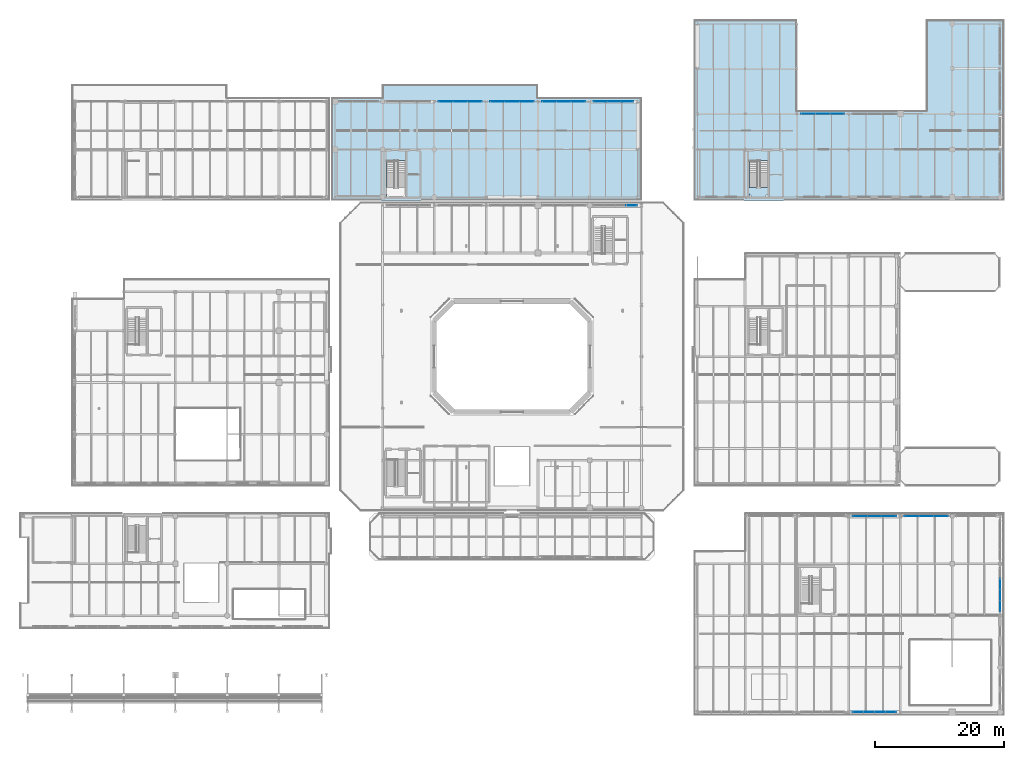
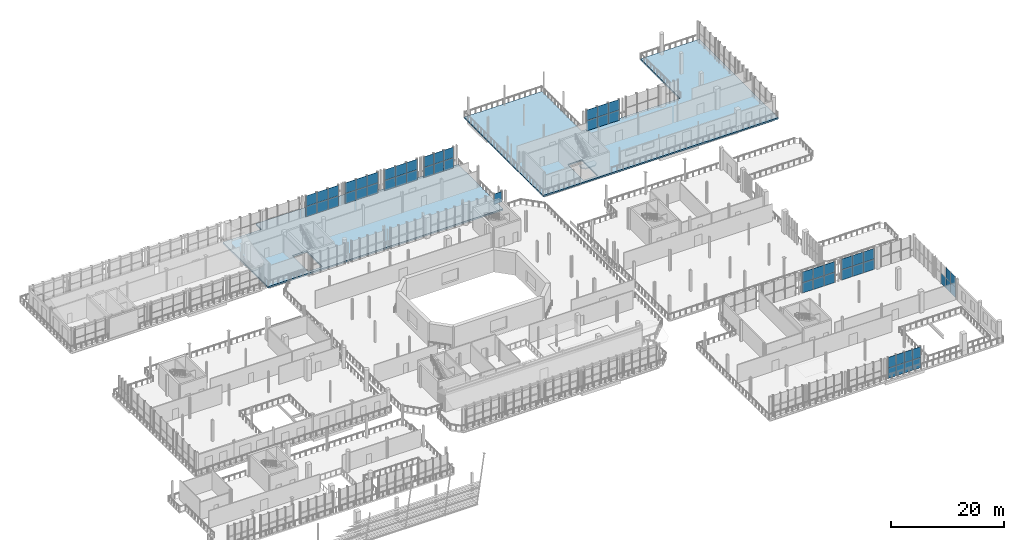
# One storey, part 65 of 93: 56 plates, 3 slabs, 11 elements without a shape of their own.
"""IFC4 building model written with IfcOpenShell, lengths in metres."""

from ifc_helpers import new_model, si_unit, direction, frame, origin, origin_2d, place, context, subcontext, project, spatial, polyline, rectangle, outline, extrude, material, layer, layer_set, type_object, element, aggregate, save


model = new_model("IFC4")

# Units and contexts
model_context = context("Model", 3, precision=1e-05, world=origin(), true_north=direction((0.0, 1.0)))
body_context = subcontext(model_context, "Body", "Model", "MODEL_VIEW")
ifc_project = project(units=[si_unit("LENGTHUNIT", "METRE"), si_unit("AREAUNIT", "SQUARE_METRE"), si_unit("VOLUMEUNIT", "CUBIC_METRE"), si_unit("PLANEANGLEUNIT", "RADIAN"), si_unit("MASSUNIT", "GRAM", prefix="KILO")], contexts=[model_context])

# Site, building, storey
site_placement = place(None, origin())
site = spatial("IfcSite", under=ifc_project, at=site_placement, CompositionType="ELEMENT")
building_placement = place(site_placement, origin())
building = spatial("IfcBuilding", under=site, at=building_placement, Name="Brisemont Oceanarium", CompositionType="ELEMENT")
storey_placement = place(building_placement, frame((0.0, 0.0, 5.39990234375)))
storey = spatial("IfcBuildingStorey", under=building, at=storey_placement, Name="L01", CompositionType="ELEMENT", Elevation=5.39990234375)

# Curtain wall, plates
ifc_material_1 = material(Name="Anodized Extruded Aluminum 6063-T6", Category="aluminium")
curtain_wall_type_1 = type_object("IfcCurtainWallType", Name="CW-CLR-48X34", PredefinedType="NOTDEFINED", material=ifc_material_1)
curtain_wall_1_placement = place(storey_placement, origin())
curtain_wall_1 = element("IfcCurtainWall", 1, at=curtain_wall_1_placement, inside=storey, type_object=curtain_wall_type_1, Name="CW-22 curtain wall CW-V7E-N-L01-03", PredefinedType="NOTDEFINED")
ifc_material_2 = material(Name="Ceramic-Fritted Spandrel Glass", Category="glass")
ifc_layer_1 = layer(ifc_material_2, 0.030029296875)
ifc_layer_set_1 = layer_set([ifc_layer_1], Name="Ceramic-Fritted Spandrel Glass")
plate_type_1 = type_object("IfcPlateType", Name="PLT-CWP-S4", PredefinedType="CURTAIN_PANEL", material=ifc_layer_set_1)
plate_1_placement = place(storey_placement, frame((73.7666015625, 95.39990234375, 0.00146484375), z_axis=(0.0, 0.0, 1.0), x_axis=(1.0, 0.0, 0.0)))
plate_1 = element("IfcPlate", 2, at=plate_1_placement, type_object=plate_type_1, Name="CW-V7E-N-L01-03 panel 1.1", PredefinedType="CURTAIN_PANEL", context=body_context, shape_type="SweptSolid", body=[
    extrude(rectangle(XDim=2.230224609375, YDim=0.030029296875, at=origin_2d()), origin(), (0.0, 0.0, 1.0), 2.2470703125),
])
plate_2_placement = place(storey_placement, frame((73.7666015625, 95.39990234375, 2.25146484375), z_axis=(0.0, 0.0, 1.0), x_axis=(1.0, 0.0, 0.0)))
plate_2 = element("IfcPlate", 3, at=plate_2_placement, type_object=plate_type_1, Name="CW-V7E-N-L01-03 panel 1.2", PredefinedType="CURTAIN_PANEL", context=body_context, shape_type="SweptSolid", body=[
    extrude(rectangle(XDim=2.230224609375, YDim=0.030029296875, at=origin_2d()), origin(), (0.0, 0.0, 1.0), 2.2470703125),
])
plate_3_placement = place(storey_placement, frame((76.0, 95.39990234375, 0.00146484375), z_axis=(0.0, 0.0, 1.0), x_axis=(1.0, 0.0, 0.0)))
plate_3 = element("IfcPlate", 4, at=plate_3_placement, type_object=plate_type_1, Name="CW-V7E-N-L01-03 panel 2.1", PredefinedType="CURTAIN_PANEL", context=body_context, shape_type="SweptSolid", body=[
    extrude(rectangle(XDim=2.230224609375, YDim=0.030029296875, at=origin_2d()), origin(), (0.0, 0.0, 1.0), 2.2470703125),
])
plate_4_placement = place(storey_placement, frame((76.0, 95.39990234375, 2.25146484375), z_axis=(0.0, 0.0, 1.0), x_axis=(1.0, 0.0, 0.0)))
plate_4 = element("IfcPlate", 5, at=plate_4_placement, type_object=plate_type_1, Name="CW-V7E-N-L01-03 panel 2.2", PredefinedType="CURTAIN_PANEL", context=body_context, shape_type="SweptSolid", body=[
    extrude(rectangle(XDim=2.230224609375, YDim=0.030029296875, at=origin_2d()), origin(), (0.0, 0.0, 1.0), 2.2470703125),
])
plate_5_placement = place(storey_placement, frame((78.2333984375, 95.39990234375, 0.00146484375), z_axis=(0.0, 0.0, 1.0), x_axis=(1.0, 0.0, 0.0)))
plate_5 = element("IfcPlate", 6, at=plate_5_placement, type_object=plate_type_1, Name="CW-V7E-N-L01-03 panel 3.1", PredefinedType="CURTAIN_PANEL", context=body_context, shape_type="SweptSolid", body=[
    extrude(rectangle(XDim=2.230224609375, YDim=0.030029296875, at=origin_2d()), origin(), (0.0, 0.0, 1.0), 2.2470703125),
])
plate_6_placement = place(storey_placement, frame((78.2333984375, 95.39990234375, 2.25146484375), z_axis=(0.0, 0.0, 1.0), x_axis=(1.0, 0.0, 0.0)))
plate_6 = element("IfcPlate", 7, at=plate_6_placement, type_object=plate_type_1, Name="CW-V7E-N-L01-03 panel 3.2", PredefinedType="CURTAIN_PANEL", context=body_context, shape_type="SweptSolid", body=[
    extrude(rectangle(XDim=2.230224609375, YDim=0.030029296875, at=origin_2d()), origin(), (0.0, 0.0, 1.0), 2.2470703125),
])
aggregate(curtain_wall_1, [plate_1, plate_2, plate_3, plate_4, plate_5, plate_6])

curtain_wall_2_placement = place(storey_placement, origin())
curtain_wall_2 = element("IfcCurtainWall", 8, at=curtain_wall_2_placement, inside=storey, type_object=curtain_wall_type_1, Name="CW-22 curtain wall CW-V7E-N-L01-04", PredefinedType="NOTDEFINED")
plate_7_placement = place(storey_placement, frame((81.7666015625, 95.39990234375, 0.00146484375), z_axis=(0.0, 0.0, 1.0), x_axis=(1.0, 0.0, 0.0)))
plate_7 = element("IfcPlate", 9, at=plate_7_placement, type_object=plate_type_1, Name="CW-V7E-N-L01-04 panel 1.1", PredefinedType="CURTAIN_PANEL", context=body_context, shape_type="SweptSolid", body=[
    extrude(rectangle(XDim=2.230224609375, YDim=0.030029296875, at=origin_2d()), origin(), (0.0, 0.0, 1.0), 2.2470703125),
])
plate_8_placement = place(storey_placement, frame((81.7666015625, 95.39990234375, 2.25146484375), z_axis=(0.0, 0.0, 1.0), x_axis=(1.0, 0.0, 0.0)))
plate_8 = element("IfcPlate", 10, at=plate_8_placement, type_object=plate_type_1, Name="CW-V7E-N-L01-04 panel 1.2", PredefinedType="CURTAIN_PANEL", context=body_context, shape_type="SweptSolid", body=[
    extrude(rectangle(XDim=2.230224609375, YDim=0.030029296875, at=origin_2d()), origin(), (0.0, 0.0, 1.0), 2.2470703125),
])
plate_9_placement = place(storey_placement, frame((84.0, 95.39990234375, 0.00146484375), z_axis=(0.0, 0.0, 1.0), x_axis=(1.0, 0.0, 0.0)))
plate_9 = element("IfcPlate", 11, at=plate_9_placement, type_object=plate_type_1, Name="CW-V7E-N-L01-04 panel 2.1", PredefinedType="CURTAIN_PANEL", context=body_context, shape_type="SweptSolid", body=[
    extrude(rectangle(XDim=2.230224609375, YDim=0.030029296875, at=origin_2d()), origin(), (0.0, 0.0, 1.0), 2.2470703125),
])
plate_10_placement = place(storey_placement, frame((84.0, 95.39990234375, 2.25146484375), z_axis=(0.0, 0.0, 1.0), x_axis=(1.0, 0.0, 0.0)))
plate_10 = element("IfcPlate", 12, at=plate_10_placement, type_object=plate_type_1, Name="CW-V7E-N-L01-04 panel 2.2", PredefinedType="CURTAIN_PANEL", context=body_context, shape_type="SweptSolid", body=[
    extrude(rectangle(XDim=2.230224609375, YDim=0.030029296875, at=origin_2d()), origin(), (0.0, 0.0, 1.0), 2.2470703125),
])
plate_11_placement = place(storey_placement, frame((86.2333984375, 95.39990234375, 0.00146484375), z_axis=(0.0, 0.0, 1.0), x_axis=(1.0, 0.0, 0.0)))
plate_11 = element("IfcPlate", 13, at=plate_11_placement, type_object=plate_type_1, Name="CW-V7E-N-L01-04 panel 3.1", PredefinedType="CURTAIN_PANEL", context=body_context, shape_type="SweptSolid", body=[
    extrude(rectangle(XDim=2.230224609375, YDim=0.030029296875, at=origin_2d()), origin(), (0.0, 0.0, 1.0), 2.2470703125),
])
plate_12_placement = place(storey_placement, frame((86.2333984375, 95.39990234375, 2.25146484375), z_axis=(0.0, 0.0, 1.0), x_axis=(1.0, 0.0, 0.0)))
plate_12 = element("IfcPlate", 14, at=plate_12_placement, type_object=plate_type_1, Name="CW-V7E-N-L01-04 panel 3.2", PredefinedType="CURTAIN_PANEL", context=body_context, shape_type="SweptSolid", body=[
    extrude(rectangle(XDim=2.230224609375, YDim=0.030029296875, at=origin_2d()), origin(), (0.0, 0.0, 1.0), 2.2470703125),
])
aggregate(curtain_wall_2, [plate_7, plate_8, plate_9, plate_10, plate_11, plate_12])

curtain_wall_3_placement = place(storey_placement, origin())
curtain_wall_3 = element("IfcCurtainWall", 15, at=curtain_wall_3_placement, inside=storey, type_object=curtain_wall_type_1, Name="CW-22 curtain wall CW-V7E-N-L01-05", PredefinedType="NOTDEFINED")
plate_13_placement = place(storey_placement, frame((89.7666015625, 95.39990234375, 0.00146484375), z_axis=(0.0, 0.0, 1.0), x_axis=(1.0, 0.0, 0.0)))
plate_13 = element("IfcPlate", 16, at=plate_13_placement, type_object=plate_type_1, Name="CW-V7E-N-L01-05 panel 1.1", PredefinedType="CURTAIN_PANEL", context=body_context, shape_type="SweptSolid", body=[
    extrude(rectangle(XDim=2.230224609375, YDim=0.030029296875, at=origin_2d()), origin(), (0.0, 0.0, 1.0), 2.2470703125),
])
plate_14_placement = place(storey_placement, frame((89.7666015625, 95.39990234375, 2.25146484375), z_axis=(0.0, 0.0, 1.0), x_axis=(1.0, 0.0, 0.0)))
plate_14 = element("IfcPlate", 17, at=plate_14_placement, type_object=plate_type_1, Name="CW-V7E-N-L01-05 panel 1.2", PredefinedType="CURTAIN_PANEL", context=body_context, shape_type="SweptSolid", body=[
    extrude(rectangle(XDim=2.230224609375, YDim=0.030029296875, at=origin_2d()), origin(), (0.0, 0.0, 1.0), 2.2470703125),
])
plate_15_placement = place(storey_placement, frame((92.0, 95.39990234375, 0.00146484375), z_axis=(0.0, 0.0, 1.0), x_axis=(1.0, 0.0, 0.0)))
plate_15 = element("IfcPlate", 18, at=plate_15_placement, type_object=plate_type_1, Name="CW-V7E-N-L01-05 panel 2.1", PredefinedType="CURTAIN_PANEL", context=body_context, shape_type="SweptSolid", body=[
    extrude(rectangle(XDim=2.230224609375, YDim=0.030029296875, at=origin_2d()), origin(), (0.0, 0.0, 1.0), 2.2470703125),
])
plate_16_placement = place(storey_placement, frame((92.0, 95.39990234375, 2.25146484375), z_axis=(0.0, 0.0, 1.0), x_axis=(1.0, 0.0, 0.0)))
plate_16 = element("IfcPlate", 19, at=plate_16_placement, type_object=plate_type_1, Name="CW-V7E-N-L01-05 panel 2.2", PredefinedType="CURTAIN_PANEL", context=body_context, shape_type="SweptSolid", body=[
    extrude(rectangle(XDim=2.230224609375, YDim=0.030029296875, at=origin_2d()), origin(), (0.0, 0.0, 1.0), 2.2470703125),
])
plate_17_placement = place(storey_placement, frame((94.2333984375, 95.39990234375, 0.00146484375), z_axis=(0.0, 0.0, 1.0), x_axis=(1.0, 0.0, 0.0)))
plate_17 = element("IfcPlate", 20, at=plate_17_placement, type_object=plate_type_1, Name="CW-V7E-N-L01-05 panel 3.1", PredefinedType="CURTAIN_PANEL", context=body_context, shape_type="SweptSolid", body=[
    extrude(rectangle(XDim=2.230224609375, YDim=0.030029296875, at=origin_2d()), origin(), (0.0, 0.0, 1.0), 2.2470703125),
])
plate_18_placement = place(storey_placement, frame((94.2333984375, 95.39990234375, 2.25146484375), z_axis=(0.0, 0.0, 1.0), x_axis=(1.0, 0.0, 0.0)))
plate_18 = element("IfcPlate", 21, at=plate_18_placement, type_object=plate_type_1, Name="CW-V7E-N-L01-05 panel 3.2", PredefinedType="CURTAIN_PANEL", context=body_context, shape_type="SweptSolid", body=[
    extrude(rectangle(XDim=2.230224609375, YDim=0.030029296875, at=origin_2d()), origin(), (0.0, 0.0, 1.0), 2.2470703125),
])
aggregate(curtain_wall_3, [plate_13, plate_14, plate_15, plate_16, plate_17, plate_18])

curtain_wall_4_placement = place(storey_placement, origin())
curtain_wall_4 = element("IfcCurtainWall", 22, at=curtain_wall_4_placement, inside=storey, type_object=curtain_wall_type_1, Name="CW-22 curtain wall CW-V7E-N-L01-06", PredefinedType="NOTDEFINED")
plate_19_placement = place(storey_placement, frame((97.666748046875, 95.39990234375, 0.00146484375), z_axis=(0.0, 0.0, 1.0), x_axis=(1.0, 0.0, 0.0)))
plate_19 = element("IfcPlate", 23, at=plate_19_placement, type_object=plate_type_1, Name="CW-V7E-N-L01-06 panel 1.1", PredefinedType="CURTAIN_PANEL", context=body_context, shape_type="SweptSolid", body=[
    extrude(rectangle(XDim=2.0302734375, YDim=0.030029296875, at=origin_2d()), origin(), (0.0, 0.0, 1.0), 2.2470703125),
])
plate_20_placement = place(storey_placement, frame((97.666748046875, 95.39990234375, 2.25146484375), z_axis=(0.0, 0.0, 1.0), x_axis=(1.0, 0.0, 0.0)))
plate_20 = element("IfcPlate", 24, at=plate_20_placement, type_object=plate_type_1, Name="CW-V7E-N-L01-06 panel 1.2", PredefinedType="CURTAIN_PANEL", context=body_context, shape_type="SweptSolid", body=[
    extrude(rectangle(XDim=2.0302734375, YDim=0.030029296875, at=origin_2d()), origin(), (0.0, 0.0, 1.0), 2.2470703125),
])
plate_21_placement = place(storey_placement, frame((99.699951171875, 95.39990234375, 0.00146484375), z_axis=(0.0, 0.0, 1.0), x_axis=(1.0, 0.0, 0.0)))
plate_21 = element("IfcPlate", 25, at=plate_21_placement, type_object=plate_type_1, Name="CW-V7E-N-L01-06 panel 2.1", PredefinedType="CURTAIN_PANEL", context=body_context, shape_type="SweptSolid", body=[
    extrude(rectangle(XDim=2.0302734375, YDim=0.030029296875, at=origin_2d()), origin(), (0.0, 0.0, 1.0), 2.2470703125),
])
plate_22_placement = place(storey_placement, frame((99.699951171875, 95.39990234375, 2.25146484375), z_axis=(0.0, 0.0, 1.0), x_axis=(1.0, 0.0, 0.0)))
plate_22 = element("IfcPlate", 26, at=plate_22_placement, type_object=plate_type_1, Name="CW-V7E-N-L01-06 panel 2.2", PredefinedType="CURTAIN_PANEL", context=body_context, shape_type="SweptSolid", body=[
    extrude(rectangle(XDim=2.0302734375, YDim=0.030029296875, at=origin_2d()), origin(), (0.0, 0.0, 1.0), 2.2470703125),
])
plate_23_placement = place(storey_placement, frame((101.7333984375, 95.39990234375, 0.00146484375), z_axis=(0.0, 0.0, 1.0), x_axis=(1.0, 0.0, 0.0)))
plate_23 = element("IfcPlate", 27, at=plate_23_placement, type_object=plate_type_1, Name="CW-V7E-N-L01-06 panel 3.1", PredefinedType="CURTAIN_PANEL", context=body_context, shape_type="SweptSolid", body=[
    extrude(rectangle(XDim=2.0302734375, YDim=0.030029296875, at=origin_2d()), origin(), (0.0, 0.0, 1.0), 2.2470703125),
])
plate_24_placement = place(storey_placement, frame((101.7333984375, 95.39990234375, 2.25146484375), z_axis=(0.0, 0.0, 1.0), x_axis=(1.0, 0.0, 0.0)))
plate_24 = element("IfcPlate", 28, at=plate_24_placement, type_object=plate_type_1, Name="CW-V7E-N-L01-06 panel 3.2", PredefinedType="CURTAIN_PANEL", context=body_context, shape_type="SweptSolid", body=[
    extrude(rectangle(XDim=2.0302734375, YDim=0.030029296875, at=origin_2d()), origin(), (0.0, 0.0, 1.0), 2.2470703125),
])
aggregate(curtain_wall_4, [plate_19, plate_20, plate_21, plate_22, plate_23, plate_24])

ifc_material_3 = material(Name="Anodized Extruded Aluminum 6063-T6", Category="aluminium")
curtain_wall_type_2 = type_object("IfcCurtainWallType", Name="CW-EDU-58X43", PredefinedType="NOTDEFINED", material=ifc_material_3)
curtain_wall_5_placement = place(storey_placement, origin())
curtain_wall_5 = element("IfcCurtainWall", 29, at=curtain_wall_5_placement, inside=storey, type_object=curtain_wall_type_2, Name="CW-10 curtain wall CW-V3-N-L01-03", PredefinedType="NOTDEFINED")
ifc_material_4 = material(Name="Insulated Low-E Laminated Glass", Category="glass")
ifc_layer_2 = layer(ifc_material_4, 0.02587890625)
ifc_layer_set_2 = layer_set([ifc_layer_2], Name="Insulated Low-E Laminated Glass")
plate_type_2 = type_object("IfcPlateType", Name="PLT-CWP-V10", PredefinedType="CURTAIN_PANEL", material=ifc_layer_set_2)
plate_25_placement = place(storey_placement, frame((137.7666015625, 31.35009765625, 0.00146484375), z_axis=(0.0, 0.0, 1.0), x_axis=(1.0, 0.0, 0.0)))
plate_25 = element("IfcPlate", 30, at=plate_25_placement, type_object=plate_type_2, Name="CW-V3-N-L01-03 panel 1.1", PredefinedType="CURTAIN_PANEL", context=body_context, shape_type="SweptSolid", body=[
    extrude(rectangle(XDim=2.230224609375, YDim=0.02587890625, at=origin_2d()), origin(), (0.0, 0.0, 1.0), 2.257080078125),
])
plate_26_placement = place(storey_placement, frame((137.7666015625, 31.35009765625, 2.26171875), z_axis=(0.0, 0.0, 1.0), x_axis=(1.0, 0.0, 0.0)))
plate_26 = element("IfcPlate", 31, at=plate_26_placement, type_object=plate_type_2, Name="CW-V3-N-L01-03 panel 1.2", PredefinedType="CURTAIN_PANEL", context=body_context, shape_type="SweptSolid", body=[
    extrude(rectangle(XDim=2.230224609375, YDim=0.02587890625, at=origin_2d()), origin(), (0.0, 0.0, 1.0), 2.257080078125),
])
plate_27_placement = place(storey_placement, frame((140.0, 31.35009765625, 0.00146484375), z_axis=(0.0, 0.0, 1.0), x_axis=(1.0, 0.0, 0.0)))
plate_27 = element("IfcPlate", 32, at=plate_27_placement, type_object=plate_type_2, Name="CW-V3-N-L01-03 panel 2.1", PredefinedType="CURTAIN_PANEL", context=body_context, shape_type="SweptSolid", body=[
    extrude(rectangle(XDim=2.230224609375, YDim=0.02587890625, at=origin_2d()), origin(), (0.0, 0.0, 1.0), 2.257080078125),
])
plate_28_placement = place(storey_placement, frame((140.0, 31.35009765625, 2.26171875), z_axis=(0.0, 0.0, 1.0), x_axis=(1.0, 0.0, 0.0)))
plate_28 = element("IfcPlate", 33, at=plate_28_placement, type_object=plate_type_2, Name="CW-V3-N-L01-03 panel 2.2", PredefinedType="CURTAIN_PANEL", context=body_context, shape_type="SweptSolid", body=[
    extrude(rectangle(XDim=2.230224609375, YDim=0.02587890625, at=origin_2d()), origin(), (0.0, 0.0, 1.0), 2.257080078125),
])
plate_29_placement = place(storey_placement, frame((142.2333984375, 31.35009765625, 0.00146484375), z_axis=(0.0, 0.0, 1.0), x_axis=(1.0, 0.0, 0.0)))
plate_29 = element("IfcPlate", 34, at=plate_29_placement, type_object=plate_type_2, Name="CW-V3-N-L01-03 panel 3.1", PredefinedType="CURTAIN_PANEL", context=body_context, shape_type="SweptSolid", body=[
    extrude(rectangle(XDim=2.230224609375, YDim=0.02587890625, at=origin_2d()), origin(), (0.0, 0.0, 1.0), 2.257080078125),
])
plate_30_placement = place(storey_placement, frame((142.2333984375, 31.35009765625, 2.26171875), z_axis=(0.0, 0.0, 1.0), x_axis=(1.0, 0.0, 0.0)))
plate_30 = element("IfcPlate", 35, at=plate_30_placement, type_object=plate_type_2, Name="CW-V3-N-L01-03 panel 3.2", PredefinedType="CURTAIN_PANEL", context=body_context, shape_type="SweptSolid", body=[
    extrude(rectangle(XDim=2.230224609375, YDim=0.02587890625, at=origin_2d()), origin(), (0.0, 0.0, 1.0), 2.257080078125),
])
aggregate(curtain_wall_5, [plate_25, plate_26, plate_27, plate_28, plate_29, plate_30])

curtain_wall_6_placement = place(storey_placement, origin())
curtain_wall_6 = element("IfcCurtainWall", 36, at=curtain_wall_6_placement, inside=storey, type_object=curtain_wall_type_2, Name="CW-10 curtain wall CW-V3-N-L01-04", PredefinedType="NOTDEFINED")
plate_31_placement = place(storey_placement, frame((145.7666015625, 31.35009765625, 0.00146484375), z_axis=(0.0, 0.0, 1.0), x_axis=(1.0, 0.0, 0.0)))
plate_31 = element("IfcPlate", 37, at=plate_31_placement, type_object=plate_type_2, Name="CW-V3-N-L01-04 panel 1.1", PredefinedType="CURTAIN_PANEL", context=body_context, shape_type="SweptSolid", body=[
    extrude(rectangle(XDim=2.230224609375, YDim=0.02587890625, at=origin_2d()), origin(), (0.0, 0.0, 1.0), 2.257080078125),
])
plate_32_placement = place(storey_placement, frame((145.7666015625, 31.35009765625, 2.26171875), z_axis=(0.0, 0.0, 1.0), x_axis=(1.0, 0.0, 0.0)))
plate_32 = element("IfcPlate", 38, at=plate_32_placement, type_object=plate_type_2, Name="CW-V3-N-L01-04 panel 1.2", PredefinedType="CURTAIN_PANEL", context=body_context, shape_type="SweptSolid", body=[
    extrude(rectangle(XDim=2.230224609375, YDim=0.02587890625, at=origin_2d()), origin(), (0.0, 0.0, 1.0), 2.257080078125),
])
plate_33_placement = place(storey_placement, frame((148.0, 31.35009765625, 0.00146484375), z_axis=(0.0, 0.0, 1.0), x_axis=(1.0, 0.0, 0.0)))
plate_33 = element("IfcPlate", 39, at=plate_33_placement, type_object=plate_type_2, Name="CW-V3-N-L01-04 panel 2.1", PredefinedType="CURTAIN_PANEL", context=body_context, shape_type="SweptSolid", body=[
    extrude(rectangle(XDim=2.230224609375, YDim=0.02587890625, at=origin_2d()), origin(), (0.0, 0.0, 1.0), 2.257080078125),
])
plate_34_placement = place(storey_placement, frame((148.0, 31.35009765625, 2.26171875), z_axis=(0.0, 0.0, 1.0), x_axis=(1.0, 0.0, 0.0)))
plate_34 = element("IfcPlate", 40, at=plate_34_placement, type_object=plate_type_2, Name="CW-V3-N-L01-04 panel 2.2", PredefinedType="CURTAIN_PANEL", context=body_context, shape_type="SweptSolid", body=[
    extrude(rectangle(XDim=2.230224609375, YDim=0.02587890625, at=origin_2d()), origin(), (0.0, 0.0, 1.0), 2.257080078125),
])
plate_35_placement = place(storey_placement, frame((150.2333984375, 31.35009765625, 0.00146484375), z_axis=(0.0, 0.0, 1.0), x_axis=(1.0, 0.0, 0.0)))
plate_35 = element("IfcPlate", 41, at=plate_35_placement, type_object=plate_type_2, Name="CW-V3-N-L01-04 panel 3.1", PredefinedType="CURTAIN_PANEL", context=body_context, shape_type="SweptSolid", body=[
    extrude(rectangle(XDim=2.230224609375, YDim=0.02587890625, at=origin_2d()), origin(), (0.0, 0.0, 1.0), 2.257080078125),
])
plate_36_placement = place(storey_placement, frame((150.2333984375, 31.35009765625, 2.26171875), z_axis=(0.0, 0.0, 1.0), x_axis=(1.0, 0.0, 0.0)))
plate_36 = element("IfcPlate", 42, at=plate_36_placement, type_object=plate_type_2, Name="CW-V3-N-L01-04 panel 3.2", PredefinedType="CURTAIN_PANEL", context=body_context, shape_type="SweptSolid", body=[
    extrude(rectangle(XDim=2.230224609375, YDim=0.02587890625, at=origin_2d()), origin(), (0.0, 0.0, 1.0), 2.257080078125),
])
aggregate(curtain_wall_6, [plate_31, plate_32, plate_33, plate_34, plate_35, plate_36])

# Curtain wall, plate
ifc_material_5 = material(Name="Anodized Extruded Aluminum 6063-T6", Category="aluminium")
curtain_wall_type_3 = type_object("IfcCurtainWallType", Name="CW-ROT-69X44", PredefinedType="NOTDEFINED", material=ifc_material_5)
curtain_wall_7_placement = place(storey_placement, origin())
curtain_wall_7 = element("IfcCurtainWall", 43, at=curtain_wall_7_placement, inside=storey, type_object=curtain_wall_type_3, Name="CW-03 curtain wall CW-V1-N-L01-05", PredefinedType="NOTDEFINED")
ifc_material_6 = material(Name="Insulated Low-E Laminated Glass", Category="glass")
ifc_layer_3 = layer(ifc_material_6, 0.028076171875)
ifc_layer_set_3 = layer_set([ifc_layer_3], Name="Insulated Low-E Laminated Glass")
plate_type_3 = type_object("IfcPlateType", Name="PLT-CWP-V3", PredefinedType="CURTAIN_PANEL", material=ifc_layer_set_3)
plate_37_placement = place(storey_placement, frame((102.512451171875, 79.35009765625, 2.25146484375), z_axis=(0.0, 0.0, 1.0), x_axis=(1.0, 0.0, 0.0)))
plate_37 = element("IfcPlate", 44, at=plate_37_placement, type_object=plate_type_3, Name="CW-V1-N-L01-05 panel 4.2", PredefinedType="CURTAIN_PANEL", context=body_context, shape_type="SweptSolid", body=[
    extrude(rectangle(XDim=1.672119140625, YDim=0.028076171875, at=origin_2d()), origin(), (0.0, 0.0, 1.0), 2.2470703125),
])
aggregate(curtain_wall_7, [plate_37])

# Curtain wall, plates
ifc_material_7 = material(Name="Anodized Extruded Aluminum 6063-T6", Category="aluminium")
curtain_wall_type_4 = type_object("IfcCurtainWallType", Name="CW-EDU-69X45", PredefinedType="NOTDEFINED", material=ifc_material_7)
curtain_wall_8_placement = place(storey_placement, origin())
curtain_wall_8 = element("IfcCurtainWall", 45, at=curtain_wall_8_placement, inside=storey, type_object=curtain_wall_type_4, Name="CW-07 curtain wall CW-V3-S-L01-04", PredefinedType="NOTDEFINED")
ifc_material_8 = material(Name="Insulated Low-E Laminated Glass", Category="glass")
ifc_layer_4 = layer(ifc_material_8, 0.028076171875)
ifc_layer_set_4 = layer_set([ifc_layer_4], Name="Insulated Low-E Laminated Glass")
plate_type_4 = type_object("IfcPlateType", Name="PLT-CWP-V7", PredefinedType="CURTAIN_PANEL", material=ifc_layer_set_4)
plate_38_placement = place(storey_placement, frame((137.487548828125, 1.10009765625, 0.00146484375), z_axis=(0.0, 0.0, 1.0), x_axis=(1.0, 0.0, 0.0)))
plate_38 = element("IfcPlate", 46, at=plate_38_placement, type_object=plate_type_4, Name="CW-V3-S-L01-04 panel 1.1", PredefinedType="CURTAIN_PANEL", context=body_context, shape_type="SweptSolid", body=[
    extrude(rectangle(XDim=1.672119140625, YDim=0.028076171875, at=origin_2d()), origin(), (0.0, 0.0, 1.0), 2.257080078125),
])
plate_39_placement = place(storey_placement, frame((137.487548828125, 1.10009765625, 2.26171875), z_axis=(0.0, 0.0, 1.0), x_axis=(1.0, 0.0, 0.0)))
plate_39 = element("IfcPlate", 47, at=plate_39_placement, type_object=plate_type_4, Name="CW-V3-S-L01-04 panel 1.2", PredefinedType="CURTAIN_PANEL", context=body_context, shape_type="SweptSolid", body=[
    extrude(rectangle(XDim=1.672119140625, YDim=0.028076171875, at=origin_2d()), origin(), (0.0, 0.0, 1.0), 2.257080078125),
])
plate_40_placement = place(storey_placement, frame((139.16259765625, 1.10009765625, 0.00146484375), z_axis=(0.0, 0.0, 1.0), x_axis=(1.0, 0.0, 0.0)))
plate_40 = element("IfcPlate", 48, at=plate_40_placement, type_object=plate_type_4, Name="CW-V3-S-L01-04 panel 2.1", PredefinedType="CURTAIN_PANEL", context=body_context, shape_type="SweptSolid", body=[
    extrude(rectangle(XDim=1.672119140625, YDim=0.028076171875, at=origin_2d()), origin(), (0.0, 0.0, 1.0), 2.257080078125),
])
plate_41_placement = place(storey_placement, frame((139.16259765625, 1.10009765625, 2.26171875), z_axis=(0.0, 0.0, 1.0), x_axis=(1.0, 0.0, 0.0)))
plate_41 = element("IfcPlate", 49, at=plate_41_placement, type_object=plate_type_4, Name="CW-V3-S-L01-04 panel 2.2", PredefinedType="CURTAIN_PANEL", context=body_context, shape_type="SweptSolid", body=[
    extrude(rectangle(XDim=1.672119140625, YDim=0.028076171875, at=origin_2d()), origin(), (0.0, 0.0, 1.0), 2.257080078125),
])
plate_42_placement = place(storey_placement, frame((140.83740234375, 1.10009765625, 0.00146484375), z_axis=(0.0, 0.0, 1.0), x_axis=(1.0, 0.0, 0.0)))
plate_42 = element("IfcPlate", 50, at=plate_42_placement, type_object=plate_type_4, Name="CW-V3-S-L01-04 panel 3.1", PredefinedType="CURTAIN_PANEL", context=body_context, shape_type="SweptSolid", body=[
    extrude(rectangle(XDim=1.672119140625, YDim=0.028076171875, at=origin_2d()), origin(), (0.0, 0.0, 1.0), 2.257080078125),
])
plate_43_placement = place(storey_placement, frame((140.83740234375, 1.10009765625, 2.26171875), z_axis=(0.0, 0.0, 1.0), x_axis=(1.0, 0.0, 0.0)))
plate_43 = element("IfcPlate", 51, at=plate_43_placement, type_object=plate_type_4, Name="CW-V3-S-L01-04 panel 3.2", PredefinedType="CURTAIN_PANEL", context=body_context, shape_type="SweptSolid", body=[
    extrude(rectangle(XDim=1.672119140625, YDim=0.028076171875, at=origin_2d()), origin(), (0.0, 0.0, 1.0), 2.257080078125),
])
plate_44_placement = place(storey_placement, frame((142.512451171875, 1.10009765625, 0.00146484375), z_axis=(0.0, 0.0, 1.0), x_axis=(1.0, 0.0, 0.0)))
plate_44 = element("IfcPlate", 52, at=plate_44_placement, type_object=plate_type_4, Name="CW-V3-S-L01-04 panel 4.1", PredefinedType="CURTAIN_PANEL", context=body_context, shape_type="SweptSolid", body=[
    extrude(rectangle(XDim=1.672119140625, YDim=0.028076171875, at=origin_2d()), origin(), (0.0, 0.0, 1.0), 2.257080078125),
])
plate_45_placement = place(storey_placement, frame((142.512451171875, 1.10009765625, 2.26171875), z_axis=(0.0, 0.0, 1.0), x_axis=(1.0, 0.0, 0.0)))
plate_45 = element("IfcPlate", 53, at=plate_45_placement, type_object=plate_type_4, Name="CW-V3-S-L01-04 panel 4.2", PredefinedType="CURTAIN_PANEL", context=body_context, shape_type="SweptSolid", body=[
    extrude(rectangle(XDim=1.672119140625, YDim=0.028076171875, at=origin_2d()), origin(), (0.0, 0.0, 1.0), 2.257080078125),
])
aggregate(curtain_wall_8, [plate_38, plate_39, plate_40, plate_41, plate_42, plate_43, plate_44, plate_45])

curtain_wall_9_placement = place(storey_placement, origin())
curtain_wall_9 = element("IfcCurtainWall", 54, at=curtain_wall_9_placement, inside=storey, type_object=curtain_wall_type_4, Name="CW-07 curtain wall CW-V3-E-L01-01", PredefinedType="NOTDEFINED")
plate_46_placement = place(storey_placement, frame((159.39990234375, 17.487548828125, 0.00146484375), z_axis=(0.0, 0.0, 1.0), x_axis=(0.0, 1.0, 0.0)))
plate_46 = element("IfcPlate", 55, at=plate_46_placement, type_object=plate_type_4, Name="CW-V3-E-L01-01 panel 1.1", PredefinedType="CURTAIN_PANEL", context=body_context, shape_type="SweptSolid", body=[
    extrude(rectangle(XDim=1.672119140625, YDim=0.028076171875, at=origin_2d()), origin(), (0.0, 0.0, 1.0), 2.257080078125),
])
plate_47_placement = place(storey_placement, frame((159.39990234375, 17.487548828125, 2.26171875), z_axis=(0.0, 0.0, 1.0), x_axis=(0.0, 1.0, 0.0)))
plate_47 = element("IfcPlate", 56, at=plate_47_placement, type_object=plate_type_4, Name="CW-V3-E-L01-01 panel 1.2", PredefinedType="CURTAIN_PANEL", context=body_context, shape_type="SweptSolid", body=[
    extrude(rectangle(XDim=1.672119140625, YDim=0.028076171875, at=origin_2d()), origin(), (0.0, 0.0, 1.0), 2.257080078125),
])
plate_48_placement = place(storey_placement, frame((159.39990234375, 19.16259765625, 0.00146484375), z_axis=(0.0, 0.0, 1.0), x_axis=(0.0, 1.0, 0.0)))
plate_48 = element("IfcPlate", 57, at=plate_48_placement, type_object=plate_type_4, Name="CW-V3-E-L01-01 panel 2.1", PredefinedType="CURTAIN_PANEL", context=body_context, shape_type="SweptSolid", body=[
    extrude(rectangle(XDim=1.672119140625, YDim=0.028076171875, at=origin_2d()), origin(), (0.0, 0.0, 1.0), 2.257080078125),
])
plate_49_placement = place(storey_placement, frame((159.39990234375, 19.16259765625, 2.26171875), z_axis=(0.0, 0.0, 1.0), x_axis=(0.0, 1.0, 0.0)))
plate_49 = element("IfcPlate", 58, at=plate_49_placement, type_object=plate_type_4, Name="CW-V3-E-L01-01 panel 2.2", PredefinedType="CURTAIN_PANEL", context=body_context, shape_type="SweptSolid", body=[
    extrude(rectangle(XDim=1.672119140625, YDim=0.028076171875, at=origin_2d()), origin(), (0.0, 0.0, 1.0), 2.257080078125),
])
plate_50_placement = place(storey_placement, frame((159.39990234375, 20.83740234375, 0.00146484375), z_axis=(0.0, 0.0, 1.0), x_axis=(0.0, 1.0, 0.0)))
plate_50 = element("IfcPlate", 59, at=plate_50_placement, type_object=plate_type_4, Name="CW-V3-E-L01-01 panel 3.1", PredefinedType="CURTAIN_PANEL", context=body_context, shape_type="SweptSolid", body=[
    extrude(rectangle(XDim=1.672119140625, YDim=0.028076171875, at=origin_2d()), origin(), (0.0, 0.0, 1.0), 2.257080078125),
])
aggregate(curtain_wall_9, [plate_46, plate_47, plate_48, plate_49, plate_50])

ifc_material_9 = material(Name="Anodized Extruded Aluminum 6063-T6", Category="aluminium")
curtain_wall_type_5 = type_object("IfcCurtainWallType", Name="CW-RES-61X43", PredefinedType="NOTDEFINED", material=ifc_material_9)
curtain_wall_10_placement = place(storey_placement, origin())
curtain_wall_10 = element("IfcCurtainWall", 60, at=curtain_wall_10_placement, inside=storey, type_object=curtain_wall_type_5, Name="CW-17 curtain wall CW-V6-CL-L01-01", PredefinedType="NOTDEFINED")
ifc_material_10 = material(Name="Insulated Low-E Laminated Glass", Category="glass")
ifc_layer_5 = layer(ifc_material_10, 0.02587890625)
ifc_layer_set_5 = layer_set([ifc_layer_5], Name="Insulated Low-E Laminated Glass")
plate_type_5 = type_object("IfcPlateType", Name="PLT-CWP-V9", PredefinedType="CURTAIN_PANEL", material=ifc_layer_set_5)
plate_51_placement = place(storey_placement, frame((129.7666015625, 93.5, 0.00146484375), z_axis=(0.0, 0.0, 1.0), x_axis=(1.0, 0.0, 0.0)))
plate_51 = element("IfcPlate", 61, at=plate_51_placement, type_object=plate_type_5, Name="CW-V6-CL-L01-01 panel 1.1", PredefinedType="CURTAIN_PANEL", context=body_context, shape_type="SweptSolid", body=[
    extrude(rectangle(XDim=2.230224609375, YDim=0.02587890625, at=origin_2d()), origin(), (0.0, 0.0, 1.0), 2.2470703125),
])
plate_52_placement = place(storey_placement, frame((129.7666015625, 93.5, 2.25146484375), z_axis=(0.0, 0.0, 1.0), x_axis=(1.0, 0.0, 0.0)))
plate_52 = element("IfcPlate", 62, at=plate_52_placement, type_object=plate_type_5, Name="CW-V6-CL-L01-01 panel 1.2", PredefinedType="CURTAIN_PANEL", context=body_context, shape_type="SweptSolid", body=[
    extrude(rectangle(XDim=2.230224609375, YDim=0.02587890625, at=origin_2d()), origin(), (0.0, 0.0, 1.0), 2.2470703125),
])
plate_53_placement = place(storey_placement, frame((132.0, 93.5, 0.00146484375), z_axis=(0.0, 0.0, 1.0), x_axis=(1.0, 0.0, 0.0)))
plate_53 = element("IfcPlate", 63, at=plate_53_placement, type_object=plate_type_5, Name="CW-V6-CL-L01-01 panel 2.1", PredefinedType="CURTAIN_PANEL", context=body_context, shape_type="SweptSolid", body=[
    extrude(rectangle(XDim=2.230224609375, YDim=0.02587890625, at=origin_2d()), origin(), (0.0, 0.0, 1.0), 2.2470703125),
])
plate_54_placement = place(storey_placement, frame((132.0, 93.5, 2.25146484375), z_axis=(0.0, 0.0, 1.0), x_axis=(1.0, 0.0, 0.0)))
plate_54 = element("IfcPlate", 64, at=plate_54_placement, type_object=plate_type_5, Name="CW-V6-CL-L01-01 panel 2.2", PredefinedType="CURTAIN_PANEL", context=body_context, shape_type="SweptSolid", body=[
    extrude(rectangle(XDim=2.230224609375, YDim=0.02587890625, at=origin_2d()), origin(), (0.0, 0.0, 1.0), 2.2470703125),
])
plate_55_placement = place(storey_placement, frame((134.2333984375, 93.5, 0.00146484375), z_axis=(0.0, 0.0, 1.0), x_axis=(1.0, 0.0, 0.0)))
plate_55 = element("IfcPlate", 65, at=plate_55_placement, type_object=plate_type_5, Name="CW-V6-CL-L01-01 panel 3.1", PredefinedType="CURTAIN_PANEL", context=body_context, shape_type="SweptSolid", body=[
    extrude(rectangle(XDim=2.230224609375, YDim=0.02587890625, at=origin_2d()), origin(), (0.0, 0.0, 1.0), 2.2470703125),
])
plate_56_placement = place(storey_placement, frame((134.2333984375, 93.5, 2.25146484375), z_axis=(0.0, 0.0, 1.0), x_axis=(1.0, 0.0, 0.0)))
plate_56 = element("IfcPlate", 66, at=plate_56_placement, type_object=plate_type_5, Name="CW-V6-CL-L01-01 panel 3.2", PredefinedType="CURTAIN_PANEL", context=body_context, shape_type="SweptSolid", body=[
    extrude(rectangle(XDim=2.230224609375, YDim=0.02587890625, at=origin_2d()), origin(), (0.0, 0.0, 1.0), 2.2470703125),
])
aggregate(curtain_wall_10, [plate_51, plate_52, plate_53, plate_54, plate_55, plate_56])

# Slabs
ifc_material_11 = material(Name="Concrete C35/45", Category="concrete")
ifc_layer_6 = layer(ifc_material_11, 0.300048828125)
ifc_layer_set_6 = layer_set([ifc_layer_6], Name="Concrete C35/45")
slab_type_1 = type_object("IfcSlabType", Name="SLB-FLR-300", PredefinedType="FLOOR", material=ifc_layer_set_6)
slab_1_placement = place(storey_placement, frame((0.0, 0.0, -0.2998046875)))
element("IfcSlab", 67, at=slab_1_placement, inside=storey, type_object=slab_type_1, Name="V6 L01 floor slab", PredefinedType="FLOOR", context=body_context, shape_type="SweptSolid", body=[
    extrude(outline(polyline([(112.14990234375, 80.14990234375), (160.0, 80.14990234375), (160.0, 108.0), (148.0, 108.0), (148.0, 94.0), (128.0, 94.0), (128.0, 108.0), (112.14990234375, 108.0), (112.14990234375, 80.14990234375)]), holes=[polyline([(120.669921875, 80.719970703125), (123.570068359375, 80.719970703125), (123.570068359375, 86.260009765625), (120.669921875, 86.260009765625), (120.669921875, 80.719970703125)])]), origin(), (0.0, 0.0, 1.0), 0.2998046875),
])
ifc_material_12 = material(Name="Concrete C35/45", Category="concrete")
ifc_layer_7 = layer(ifc_material_12, 0.340087890625)
ifc_layer_set_7 = layer_set([ifc_layer_7], Name="Concrete C35/45")
slab_type_2 = type_object("IfcSlabType", Name="SLB-FLR-340", PredefinedType="FLOOR", material=ifc_layer_set_7)
slab_2_placement = place(storey_placement, frame((0.0, 0.0, -0.33984375)))
element("IfcSlab", 68, at=slab_2_placement, inside=storey, type_object=slab_type_2, Name="V7E L01 floor slab", PredefinedType="FLOOR", context=body_context, shape_type="SweptSolid", body=[
    extrude(outline(polyline([(56.14990234375, 80.14990234375), (104.0, 80.14990234375), (104.0, 96.0), (88.0, 96.0), (88.0, 98.0), (64.0, 98.0), (64.0, 96.0), (56.14990234375, 96.0), (56.14990234375, 80.14990234375)]), holes=[polyline([(64.669921875, 80.719970703125), (67.570068359375, 80.719970703125), (67.570068359375, 86.260009765625), (64.669921875, 86.260009765625), (64.669921875, 80.719970703125)])]), origin(), (0.0, 0.0, 1.0), 0.33984375),
])

# Stair, slab
ifc_material_13 = material(Name="Concrete C40/50", Category="concrete")
stair_type = type_object("IfcStairType", Name="STR-CORE-124-48", PredefinedType="HALF_TURN_STAIR", material=ifc_material_13)
stair_placement = place(storey_placement, origin())
stair = element("IfcStair", 69, at=stair_placement, inside=storey, type_object=stair_type, Name="Exit stair ST-07 L01 to L02", PredefinedType="HALF_TURN_STAIR")
ifc_material_14 = material(Name="Concrete C40/50", Category="concrete")
ifc_layer_8 = layer(ifc_material_14, 0.219970703125)
ifc_layer_set_8 = layer_set([ifc_layer_8], Name="Concrete C40/50")
slab_type_3 = type_object("IfcSlabType", Name="SLB-LANDING-220", PredefinedType="LANDING", material=ifc_layer_set_8)
slab_3_placement = place(storey_placement, frame((0.0, 0.0, 2.18017578125)))
slab_3 = element("IfcSlab", 70, at=slab_3_placement, type_object=slab_type_3, Name="ST-07 L01 half-landing", PredefinedType="LANDING", context=body_context, shape_type="SweptSolid", body=[
    extrude(outline(polyline([(121.1201171875, 80.679931640625), (123.10009765625, 80.679931640625), (123.64990234375, 81.22998046875), (123.64990234375, 82.110107421875), (120.570068359375, 82.110107421875), (120.570068359375, 81.22998046875), (121.1201171875, 80.679931640625)])), origin(), (0.0, 0.0, 1.0), 0.219970703125),
])
aggregate(stair, [slab_3])

save(model, "model.ifc")
